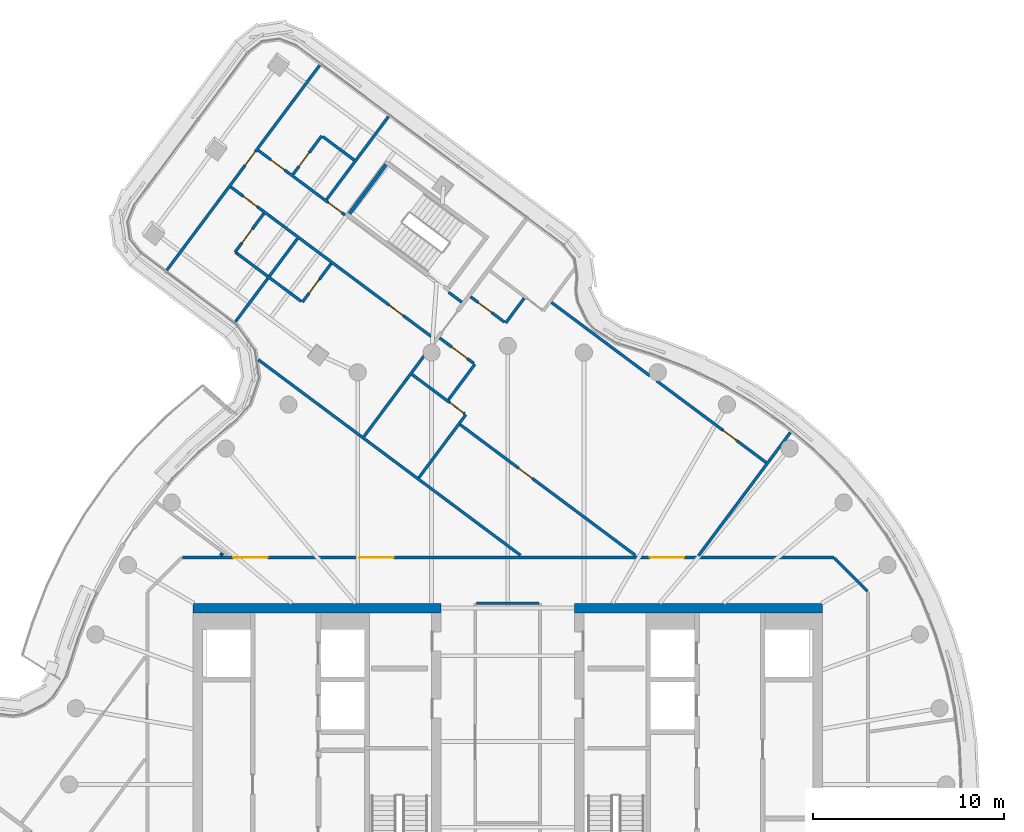
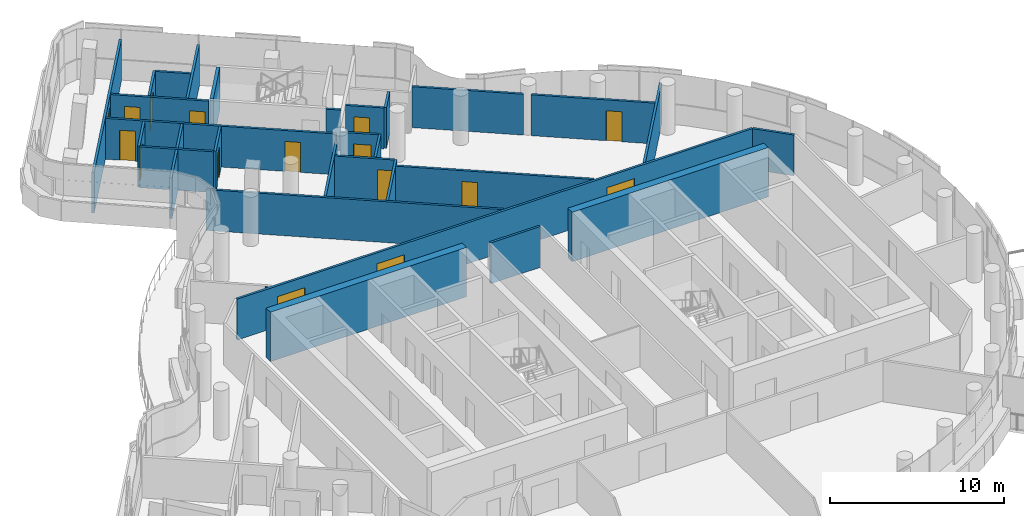
# One storey, part 20 of 27: 30 walls, 16 doors, 16 openings.
"""IFC4 building model written with IfcOpenShell, lengths in metres."""

from ifc_helpers import new_model, si_unit, direction, frame, frame_2d, origin, place, context, subcontext, project, spatial, polyline, rectangle, outline, extrude, material, layer, layer_set, type_object, element, fill, save


model = new_model("IFC4")

# Units and contexts
model_context = context("Model", 3, precision=1e-05, world=origin(), true_north=direction((0.0, 1.0)))
body_context = subcontext(model_context, "Body", "Model", "MODEL_VIEW")
ifc_project = project(units=[si_unit("LENGTHUNIT", "METRE"), si_unit("AREAUNIT", "SQUARE_METRE"), si_unit("VOLUMEUNIT", "CUBIC_METRE"), si_unit("PLANEANGLEUNIT", "RADIAN"), si_unit("MASSUNIT", "GRAM", prefix="KILO")], contexts=[model_context])

# Site, building, storey
site_placement = place(None, origin())
site = spatial("IfcSite", under=ifc_project, at=site_placement, CompositionType="ELEMENT")
building_placement = place(site_placement, origin())
building = spatial("IfcBuilding", under=site, at=building_placement, Name="Tamarind Cross Interchange Tower", CompositionType="ELEMENT")
storey_placement = place(building_placement, frame((0.0, 0.0, 227.10009765625)))
storey = spatial("IfcBuildingStorey", under=building, at=storey_placement, Name="L57", CompositionType="ELEMENT", Elevation=227.10009765625)

# Walls
ifc_material_1 = material(Name="Concrete C50", Category="concrete")
ifc_layer_1 = layer(ifc_material_1, 0.5)
ifc_layer_set_1 = layer_set([ifc_layer_1], Name="Concrete C50")
wall_type_1 = type_object("IfcWallType", Name="Core wall 500 mm Concrete C50", PredefinedType="SHEAR", material=ifc_layer_set_1)
for number, where, z_axis, x_axis, name in (
    (1, (-16.5, 9.25, 0.0), (0.0, 0.0, 1.0), (1.0, 0.0, 0.0), "Core wall CWL-L57-W-NE"),
    (2, (16.5, 9.25, 0.0), (0.0, 0.0, 1.0), (-1.0, 0.0, 0.0), "Core wall CWL-L57-E-NE"),
):
    element("IfcWall", number, at=place(storey_placement, frame(where, z_axis=z_axis, x_axis=x_axis)), inside=storey, type_object=wall_type_1, Name=name, PredefinedType="SHEAR", context=body_context, shape_type="SweptSolid", body=[
        extrude(rectangle(XDim=13.0, YDim=0.5, at=frame_2d((6.5, 0.0))), origin(), (0.0, 0.0, 1.0), 3.4599609375),
    ])
ifc_material_2 = material(Name="Gypsum board partition on steel studs", Category="steel")
ifc_layer_2 = layer(ifc_material_2, 0.14990234375)
ifc_layer_set_2 = layer_set([ifc_layer_2], Name="Gypsum board partition on steel studs")
wall_type_2 = type_object("IfcWallType", Name="Partition 150 mm EI 120", PredefinedType="PARTITIONING", material=ifc_layer_set_2)
wall_1_placement = place(storey_placement, frame((17.12841796875, 11.87158203125, 0.0), z_axis=(0.0, 0.0, 1.0), x_axis=(0.707106781187, -0.707106781187, 0.0)))
element("IfcWall", 3, at=wall_1_placement, inside=storey, type_object=wall_type_2, Name="Partition L57-003", PredefinedType="PARTITIONING", context=body_context, shape_type="SweptSolid", body=[
    extrude(rectangle(XDim=2.465087890625, YDim=0.14990234375, at=frame_2d((1.232421875, 0.0))), origin(), (0.0, 0.0, 1.0), 2.864013671875),
])

# Wall, openings, doors
wall_2_placement = place(storey_placement, frame((-14.52099609375, 31.333251953125, 0.0), z_axis=(0.0, 0.0, 1.0), x_axis=(0.801510735955, -0.597980384418, 0.0)))
wall_2 = element("IfcWall", 4, at=wall_2_placement, inside=storey, type_object=wall_type_2, Name="Partition L57-013", PredefinedType="PARTITIONING", context=body_context, shape_type="SweptSolid", body=[
    extrude(rectangle(XDim=13.319580078125, YDim=0.14990234375, at=frame_2d((6.65966796875, 0.0))), origin(), (0.0, 0.0, 1.0), 2.864013671875),
])
opening_1_placement = place(wall_2_placement, frame((10.36962890625, 0.0, 0.0)))
opening_1 = element("IfcOpeningElement", 5, at=opening_1_placement, cuts=wall_2, Name="Opening D05", PredefinedType="OPENING", context=body_context, shape_type="SweptSolid", body=[
    extrude(rectangle(XDim=0.89990234375, YDim=2.10009765625, at=frame_2d((0.449951171875, 1.050048828125))), frame((0.0, 0.0849609375, 0.0), z_axis=(0.0, -1.0, 0.0), x_axis=(1.0, 0.0, 0.0)), (0.0, 0.0, 1.0), 0.169921875),
])
opening_2_placement = place(wall_2_placement, frame((0.820068359375, 0.0, 0.0)))
opening_2 = element("IfcOpeningElement", 6, at=opening_2_placement, cuts=wall_2, Name="Opening D06", PredefinedType="OPENING", context=body_context, shape_type="SweptSolid", body=[
    extrude(rectangle(XDim=0.89990234375, YDim=2.10009765625, at=frame_2d((0.449951171875, 1.050048828125))), frame((0.0, 0.0849609375, 0.0), z_axis=(0.0, -1.0, 0.0), x_axis=(1.0, 0.0, 0.0)), (0.0, 0.0, 1.0), 0.169921875),
])
ifc_material_3 = material(Name="Fire-resisting door set")
door_type_1 = type_object("IfcDoorType", Name="Interior door 900 x 2100 FD60S", OperationType="SINGLE_SWING_LEFT", PredefinedType="DOOR", material=ifc_material_3)
door_1_placement = place(opening_1_placement, frame((0.89990234375, 0.0, 0.0), z_axis=(0.0, 0.0, 1.0), x_axis=(-1.0, 0.0, 0.0)))
door_1 = element("IfcDoor", 7, at=door_1_placement, inside=storey, type_object=door_type_1, Name="Door D05", OperationType="SINGLE_SWING_RIGHT", OverallHeight=2.10009765625, OverallWidth=0.89990234375, PredefinedType="DOOR", context=body_context, shape_type="SweptSolid", body=[
    extrude(rectangle(XDim=0.89990234375, YDim=2.10009765625, at=frame_2d((0.449951171875, 1.050048828125))), frame((0.0, 0.02490234375, 0.0), z_axis=(0.0, -1.0, 0.0), x_axis=(1.0, 0.0, 0.0)), (0.0, 0.0, 1.0), 0.050048828125),
])
fill(opening_1, door_1)
door_2_placement = place(opening_2_placement, frame((0.89990234375, 0.0, 0.0), z_axis=(0.0, 0.0, 1.0), x_axis=(-1.0, 0.0, 0.0)))
door_2 = element("IfcDoor", 8, at=door_2_placement, inside=storey, type_object=door_type_1, Name="Door D06", OperationType="SINGLE_SWING_LEFT", OverallHeight=2.10009765625, OverallWidth=0.89990234375, PredefinedType="DOOR", context=body_context, shape_type="SweptSolid", body=[
    extrude(rectangle(XDim=0.89990234375, YDim=2.10009765625, at=frame_2d((0.449951171875, 1.050048828125))), frame((0.0, 0.02490234375, 0.0), z_axis=(0.0, -1.0, 0.0), x_axis=(1.0, 0.0, 0.0)), (0.0, 0.0, 1.0), 0.050048828125),
])
fill(opening_2, door_2)

# Wall
wall_3_placement = place(storey_placement, frame((-14.280029296875, 27.908935546875, 0.0), z_axis=(0.0, 0.0, 1.0), x_axis=(0.801738945952, -0.597674378356, 0.0)))
element("IfcWall", 9, at=wall_3_placement, inside=storey, type_object=wall_type_2, Name="Partition L57-014", PredefinedType="PARTITIONING", context=body_context, shape_type="SweptSolid", body=[
    extrude(rectangle(XDim=4.3046875, YDim=0.14990234375, at=frame_2d((2.15234375, 0.0))), origin(), (0.0, 0.0, 1.0), 2.864013671875),
])

# Wall, openings, doors
wall_4_placement = place(storey_placement, frame((-13.0869140625, 33.257080078125, 0.0), z_axis=(0.0, 0.0, 1.0), x_axis=(0.801626776907, -0.597824815933, 0.0)))
wall_4 = element("IfcWall", 10, at=wall_4_placement, inside=storey, type_object=wall_type_2, Name="Partition L57-015", PredefinedType="PARTITIONING", context=body_context, shape_type="SweptSolid", body=[
    extrude(rectangle(XDim=5.6806640625, YDim=0.14990234375, at=frame_2d((2.84033203125, 0.0))), origin(), (0.0, 0.0, 1.0), 2.864013671875),
])
opening_3_placement = place(wall_4_placement, frame((0.820068359375, 0.0, 0.0)))
opening_3 = element("IfcOpeningElement", 11, at=opening_3_placement, cuts=wall_4, Name="Opening D07", PredefinedType="OPENING", context=body_context, shape_type="SweptSolid", body=[
    extrude(rectangle(XDim=0.89990234375, YDim=2.10009765625, at=frame_2d((0.449951171875, 1.050048828125))), frame((0.0, 0.0849609375, 0.0), z_axis=(0.0, -1.0, 0.0), x_axis=(1.0, 0.0, 0.0)), (0.0, 0.0, 1.0), 0.169921875),
])
opening_4_placement = place(wall_4_placement, frame((4.571044921875, 0.0, 0.0)))
opening_4 = element("IfcOpeningElement", 12, at=opening_4_placement, cuts=wall_4, Name="Opening D08", PredefinedType="OPENING", context=body_context, shape_type="SweptSolid", body=[
    extrude(rectangle(XDim=0.89990234375, YDim=2.10009765625, at=frame_2d((0.449951171875, 1.050048828125))), frame((0.0, 0.0849609375, 0.0), z_axis=(0.0, -1.0, 0.0), x_axis=(1.0, 0.0, 0.0)), (0.0, 0.0, 1.0), 0.169921875),
])
door_3_placement = place(opening_3_placement, origin())
door_3 = element("IfcDoor", 13, at=door_3_placement, inside=storey, type_object=door_type_1, Name="Door D07", OperationType="SINGLE_SWING_RIGHT", OverallHeight=2.10009765625, OverallWidth=0.89990234375, PredefinedType="DOOR", context=body_context, shape_type="SweptSolid", body=[
    extrude(rectangle(XDim=0.89990234375, YDim=2.10009765625, at=frame_2d((0.449951171875, 1.050048828125))), frame((0.0, 0.02490234375, 0.0), z_axis=(0.0, -1.0, 0.0), x_axis=(1.0, 0.0, 0.0)), (0.0, 0.0, 1.0), 0.050048828125),
])
fill(opening_3, door_3)
door_4_placement = place(opening_4_placement, origin())
door_4 = element("IfcDoor", 14, at=door_4_placement, inside=storey, type_object=door_type_1, Name="Door D08", OperationType="SINGLE_SWING_LEFT", OverallHeight=2.10009765625, OverallWidth=0.89990234375, PredefinedType="DOOR", context=body_context, shape_type="SweptSolid", body=[
    extrude(rectangle(XDim=0.89990234375, YDim=2.10009765625, at=frame_2d((0.449951171875, 1.050048828125))), frame((0.0, 0.02490234375, 0.0), z_axis=(0.0, -1.0, 0.0), x_axis=(1.0, 0.0, 0.0)), (0.0, 0.0, 1.0), 0.050048828125),
])
fill(opening_4, door_4)

# Walls
wall_5_placement = place(storey_placement, frame((-3.097900390625, 25.807373046875, 0.0), z_axis=(0.0, 0.0, 1.0), x_axis=(0.801599777433, -0.597861017979, 0.0)))
element("IfcWall", 15, at=wall_5_placement, inside=storey, type_object=wall_type_2, Name="Partition L57-016", PredefinedType="PARTITIONING", context=body_context, shape_type="SweptSolid", body=[
    extrude(rectangle(XDim=0.859130859375, YDim=0.14990234375, at=frame_2d((0.4296875, 0.0))), origin(), (0.0, 0.0, 1.0), 2.864013671875),
])
wall_6_placement = place(storey_placement, frame((-13.076416015625, 22.271484375, 0.0), z_axis=(0.0, 0.0, 1.0), x_axis=(0.801609439626, -0.597848062891, 0.0)))
element("IfcWall", 16, at=wall_6_placement, inside=storey, type_object=wall_type_2, Name="Partition L57-017", PredefinedType="PARTITIONING", context=body_context, shape_type="SweptSolid", body=[
    extrude(rectangle(XDim=17.153076171875, YDim=0.14990234375, at=frame_2d((8.57666015625, 0.0))), origin(), (0.0, 0.0, 1.0), 2.864013671875),
])
wall_7_placement = place(storey_placement, frame((-9.69189453125, 33.968994140625, 0.0), z_axis=(0.0, 0.0, 1.0), x_axis=(0.801416031436, -0.598107301876, 0.0)))
element("IfcWall", 17, at=wall_7_placement, inside=storey, type_object=wall_type_2, Name="Partition L57-018", PredefinedType="PARTITIONING", context=body_context, shape_type="SweptSolid", body=[
    extrude(rectangle(XDim=2.044921875, YDim=0.14990234375, at=frame_2d((1.0224609375, 0.0))), origin(), (0.0, 0.0, 1.0), 2.864013671875),
])

# Wall, opening, door
wall_8_placement = place(storey_placement, frame((-5.014892578125, 21.498291015625, 0.0), z_axis=(0.0, 0.0, 1.0), x_axis=(0.801666095662, -0.597772089568, 0.0)))
wall_8 = element("IfcWall", 18, at=wall_8_placement, inside=storey, type_object=wall_type_2, Name="Partition L57-019", PredefinedType="PARTITIONING", context=body_context, shape_type="SweptSolid", body=[
    extrude(rectangle(XDim=3.440185546875, YDim=0.14990234375, at=frame_2d((1.72021484375, 0.0))), origin(), (0.0, 0.0, 1.0), 2.864013671875),
])
opening_5_placement = place(wall_8_placement, frame((2.469970703125, 0.0, 0.0)))
opening_5 = element("IfcOpeningElement", 19, at=opening_5_placement, cuts=wall_8, Name="Opening D09", PredefinedType="OPENING", context=body_context, shape_type="SweptSolid", body=[
    extrude(rectangle(XDim=0.89990234375, YDim=2.10009765625, at=frame_2d((0.449951171875, 1.050048828125))), frame((0.0, 0.0849609375, 0.0), z_axis=(0.0, -1.0, 0.0), x_axis=(1.0, 0.0, 0.0)), (0.0, 0.0, 1.0), 0.169921875),
])
door_5_placement = place(opening_5_placement, frame((0.89990234375, 0.0, 0.0), z_axis=(0.0, 0.0, 1.0), x_axis=(-1.0, 0.0, 0.0)))
door_5 = element("IfcDoor", 20, at=door_5_placement, inside=storey, type_object=door_type_1, Name="Door D09", OperationType="SINGLE_SWING_RIGHT", OverallHeight=2.10009765625, OverallWidth=0.89990234375, PredefinedType="DOOR", context=body_context, shape_type="SweptSolid", body=[
    extrude(rectangle(XDim=0.89990234375, YDim=2.10009765625, at=frame_2d((0.449951171875, 1.050048828125))), frame((0.0, 0.02490234375, 0.0), z_axis=(0.0, -1.0, 0.0), x_axis=(1.0, 0.0, 0.0)), (0.0, 0.0, 1.0), 0.050048828125),
])
fill(opening_5, door_5)

wall_9_placement = place(storey_placement, frame((-3.563720703125, 23.41015625, 0.0), z_axis=(0.0, 0.0, 1.0), x_axis=(0.801603412124, -0.59785614463, 0.0)))
wall_9 = element("IfcWall", 21, at=wall_9_placement, inside=storey, type_object=wall_type_2, Name="Partition L57-020", PredefinedType="PARTITIONING", context=body_context, shape_type="SweptSolid", body=[
    extrude(rectangle(XDim=2.22509765625, YDim=0.14990234375, at=frame_2d((1.112548828125, 0.0))), origin(), (0.0, 0.0, 1.0), 2.864013671875),
])
opening_6_placement = place(wall_9_placement, frame((0.800048828125, 0.0, 0.0)))
opening_6 = element("IfcOpeningElement", 22, at=opening_6_placement, cuts=wall_9, Name="Opening D10", PredefinedType="OPENING", context=body_context, shape_type="SweptSolid", body=[
    extrude(rectangle(XDim=1.0, YDim=2.10009765625, at=frame_2d((0.5, 1.050048828125))), frame((0.0, 0.0849609375, 0.0), z_axis=(0.0, -1.0, 0.0), x_axis=(1.0, 0.0, 0.0)), (0.0, 0.0, 1.0), 0.169921875),
])
door_type_2 = type_object("IfcDoorType", Name="Interior door 1000 x 2100 FD60S", OperationType="SINGLE_SWING_LEFT", PredefinedType="DOOR", material=ifc_material_3)
door_6_placement = place(opening_6_placement, frame((1.0, 0.0, 0.0), z_axis=(0.0, 0.0, 1.0), x_axis=(-1.0, 0.0, 0.0)))
door_6 = element("IfcDoor", 23, at=door_6_placement, inside=storey, type_object=door_type_2, Name="Door D10", OperationType="SINGLE_SWING_RIGHT", OverallHeight=2.10009765625, OverallWidth=1.0, PredefinedType="DOOR", context=body_context, shape_type="SweptSolid", body=[
    extrude(rectangle(XDim=1.0, YDim=2.10009765625, at=frame_2d((0.5, 1.050048828125))), frame((0.0, 0.02490234375, 0.0), z_axis=(0.0, -1.0, 0.0), x_axis=(1.0, 0.0, 0.0)), (0.0, 0.0, 1.0), 0.050048828125),
])
fill(opening_6, door_6)

wall_10_placement = place(storey_placement, frame((-2.48779296875, 18.865234375, 0.0), z_axis=(0.0, 0.0, 1.0), x_axis=(0.801633706651, -0.597815523686, 0.0)))
wall_10 = element("IfcWall", 24, at=wall_10_placement, inside=storey, type_object=wall_type_2, Name="Partition L57-021", PredefinedType="PARTITIONING", context=body_context, shape_type="SweptSolid", body=[
    extrude(rectangle(XDim=11.4560546875, YDim=0.14990234375, at=frame_2d((5.72802734375, 0.0))), origin(), (0.0, 0.0, 1.0), 2.864013671875),
])
opening_7_placement = place(wall_10_placement, frame((3.820068359375, 0.0, 0.0)))
opening_7 = element("IfcOpeningElement", 25, at=opening_7_placement, cuts=wall_10, Name="Opening D11", PredefinedType="OPENING", context=body_context, shape_type="SweptSolid", body=[
    extrude(rectangle(XDim=0.89990234375, YDim=2.10009765625, at=frame_2d((0.449951171875, 1.050048828125))), frame((0.0, 0.0849609375, 0.0), z_axis=(0.0, -1.0, 0.0), x_axis=(1.0, 0.0, 0.0)), (0.0, 0.0, 1.0), 0.169921875),
])
door_7_placement = place(opening_7_placement, frame((0.89990234375, 0.0, 0.0), z_axis=(0.0, 0.0, 1.0), x_axis=(-1.0, 0.0, 0.0)))
door_7 = element("IfcDoor", 26, at=door_7_placement, inside=storey, type_object=door_type_1, Name="Door D11", OperationType="SINGLE_SWING_LEFT", OverallHeight=2.10009765625, OverallWidth=0.89990234375, PredefinedType="DOOR", context=body_context, shape_type="SweptSolid", body=[
    extrude(rectangle(XDim=0.89990234375, YDim=2.10009765625, at=frame_2d((0.449951171875, 1.050048828125))), frame((0.0, 0.02490234375, 0.0), z_axis=(0.0, -1.0, 0.0), x_axis=(1.0, 0.0, 0.0)), (0.0, 0.0, 1.0), 0.050048828125),
])
fill(opening_7, door_7)

wall_11_placement = place(storey_placement, frame((-1.94970703125, 25.5751953125, 0.0), z_axis=(0.0, 0.0, 1.0), x_axis=(0.801603412124, -0.59785614463, 0.0)))
wall_11 = element("IfcWall", 27, at=wall_11_placement, inside=storey, type_object=wall_type_2, Name="Partition L57-022", PredefinedType="PARTITIONING", context=body_context, shape_type="SweptSolid", body=[
    extrude(rectangle(XDim=2.22509765625, YDim=0.14990234375, at=frame_2d((1.112548828125, 0.0))), origin(), (0.0, 0.0, 1.0), 2.864013671875),
])
opening_8_placement = place(wall_11_placement, frame((0.5, 0.0, 0.0)))
opening_8 = element("IfcOpeningElement", 28, at=opening_8_placement, cuts=wall_11, Name="Opening D12", PredefinedType="OPENING", context=body_context, shape_type="SweptSolid", body=[
    extrude(rectangle(XDim=0.89990234375, YDim=2.10009765625, at=frame_2d((0.449951171875, 1.050048828125))), frame((0.0, 0.0849609375, 0.0), z_axis=(0.0, -1.0, 0.0), x_axis=(1.0, 0.0, 0.0)), (0.0, 0.0, 1.0), 0.169921875),
])
door_8_placement = place(opening_8_placement, origin())
door_8 = element("IfcDoor", 29, at=door_8_placement, inside=storey, type_object=door_type_1, Name="Door D12", OperationType="SINGLE_SWING_RIGHT", OverallHeight=2.10009765625, OverallWidth=0.89990234375, PredefinedType="DOOR", context=body_context, shape_type="SweptSolid", body=[
    extrude(rectangle(XDim=0.89990234375, YDim=2.10009765625, at=frame_2d((0.449951171875, 1.050048828125))), frame((0.0, 0.02490234375, 0.0), z_axis=(0.0, -1.0, 0.0), x_axis=(1.0, 0.0, 0.0)), (0.0, 0.0, 1.0), 0.050048828125),
])
fill(opening_8, door_8)

# Wall
wall_12_placement = place(storey_placement, frame((2.295166015625, 25.2783203125, 0.0), z_axis=(0.0, 0.0, 1.0), x_axis=(0.801612688657, -0.597843706486, 0.0)))
element("IfcWall", 30, at=wall_12_placement, inside=storey, type_object=wall_type_2, Name="Partition L57-024", PredefinedType="PARTITIONING", context=body_context, shape_type="SweptSolid", body=[
    extrude(rectangle(XDim=6.4375, YDim=0.14990234375, at=frame_2d((3.21875, 0.0))), origin(), (0.0, 0.0, 1.0), 2.864013671875),
])

# Wall, opening, door
wall_13_placement = place(storey_placement, frame((7.804443359375, 21.169677734375, 0.0), z_axis=(0.0, 0.0, 1.0), x_axis=(0.801611703951, -0.597845026816, 0.0)))
wall_13 = element("IfcWall", 31, at=wall_13_placement, inside=storey, type_object=wall_type_2, Name="Partition L57-025", PredefinedType="PARTITIONING", context=body_context, shape_type="SweptSolid", body=[
    extrude(rectangle(XDim=7.167236328125, YDim=0.14990234375, at=frame_2d((3.58349609375, 0.0))), origin(), (0.0, 0.0, 1.0), 2.864013671875),
])
opening_9_placement = place(wall_13_placement, frame((4.35009765625, 0.0, 0.0)))
opening_9 = element("IfcOpeningElement", 32, at=opening_9_placement, cuts=wall_13, Name="Opening D14", PredefinedType="OPENING", context=body_context, shape_type="SweptSolid", body=[
    extrude(rectangle(XDim=0.89990234375, YDim=2.10009765625, at=frame_2d((0.449951171875, 1.050048828125))), frame((0.0, 0.0849609375, 0.0), z_axis=(0.0, -1.0, 0.0), x_axis=(1.0, 0.0, 0.0)), (0.0, 0.0, 1.0), 0.169921875),
])
door_9_placement = place(opening_9_placement, origin())
door_9 = element("IfcDoor", 33, at=door_9_placement, inside=storey, type_object=door_type_1, Name="Door D14", OperationType="SINGLE_SWING_LEFT", OverallHeight=2.10009765625, OverallWidth=0.89990234375, PredefinedType="DOOR", context=body_context, shape_type="SweptSolid", body=[
    extrude(rectangle(XDim=0.89990234375, YDim=2.10009765625, at=frame_2d((0.449951171875, 1.050048828125))), frame((0.0, 0.02490234375, 0.0), z_axis=(0.0, -1.0, 0.0), x_axis=(1.0, 0.0, 0.0)), (0.0, 0.0, 1.0), 0.050048828125),
])
fill(opening_9, door_9)

# Wall, openings, doors
wall_14_placement = place(storey_placement, frame((-17.06494140625, 11.89990234375, 0.0), z_axis=(0.0, 0.0, 1.0), x_axis=(1.0, 0.0, 0.0)))
wall_14 = element("IfcWall", 34, at=wall_14_placement, inside=storey, type_object=wall_type_2, Name="Partition L57-027", PredefinedType="PARTITIONING", context=body_context, shape_type="SweptSolid", body=[
    extrude(rectangle(XDim=34.1650390625, YDim=0.14990234375, at=frame_2d((17.08251953125, 0.0))), origin(), (0.0, 0.0, 1.0), 2.864013671875),
])
opening_10_placement = place(wall_14_placement, frame((24.51708984375, 0.0, 0.0)))
opening_10 = element("IfcOpeningElement", 35, at=opening_10_placement, cuts=wall_14, Name="Opening D19", PredefinedType="OPENING", context=body_context, shape_type="SweptSolid", body=[
    extrude(rectangle(XDim=1.800048828125, YDim=2.10009765625, at=frame_2d((0.89990234375, 1.050048828125))), frame((0.0, 0.0849609375, 0.0), z_axis=(0.0, -1.0, 0.0), x_axis=(1.0, 0.0, 0.0)), (0.0, 0.0, 1.0), 0.169921875),
])
opening_11_placement = place(wall_14_placement, frame((9.27587890625, 0.0, 0.0)))
opening_11 = element("IfcOpeningElement", 36, at=opening_11_placement, cuts=wall_14, Name="Opening D20", PredefinedType="OPENING", context=body_context, shape_type="SweptSolid", body=[
    extrude(rectangle(XDim=1.800048828125, YDim=2.10009765625, at=frame_2d((0.89990234375, 1.050048828125))), frame((0.0, 0.0849609375, 0.0), z_axis=(0.0, -1.0, 0.0), x_axis=(1.0, 0.0, 0.0)), (0.0, 0.0, 1.0), 0.169921875),
])
opening_12_placement = place(wall_14_placement, frame((2.676025390625, 0.0, 0.0)))
opening_12 = element("IfcOpeningElement", 37, at=opening_12_placement, cuts=wall_14, Name="Opening D21", PredefinedType="OPENING", context=body_context, shape_type="SweptSolid", body=[
    extrude(rectangle(XDim=1.800048828125, YDim=2.10009765625, at=frame_2d((0.89990234375, 1.050048828125))), frame((0.0, 0.0849609375, 0.0), z_axis=(0.0, -1.0, 0.0), x_axis=(1.0, 0.0, 0.0)), (0.0, 0.0, 1.0), 0.169921875),
])
door_type_3 = type_object("IfcDoorType", Name="Interior door 1800 x 2100 FD60S", OperationType="DOUBLE_DOOR_SINGLE_SWING", PredefinedType="DOOR", material=ifc_material_3)
door_10_placement = place(opening_10_placement, frame((1.800048828125, 0.0, 0.0), z_axis=(0.0, 0.0, 1.0), x_axis=(-1.0, 0.0, 0.0)))
door_10 = element("IfcDoor", 38, at=door_10_placement, inside=storey, type_object=door_type_3, Name="Door D19", OperationType="DOUBLE_DOOR_SINGLE_SWING", OverallHeight=2.10009765625, OverallWidth=1.800048828125, PredefinedType="DOOR", context=body_context, shape_type="SweptSolid", body=[
    extrude(rectangle(XDim=1.800048828125, YDim=2.10009765625, at=frame_2d((0.89990234375, 1.050048828125))), frame((0.0, 0.02490234375, 0.0), z_axis=(0.0, -1.0, 0.0), x_axis=(1.0, 0.0, 0.0)), (0.0, 0.0, 1.0), 0.050048828125),
])
fill(opening_10, door_10)
door_11_placement = place(opening_11_placement, origin())
door_11 = element("IfcDoor", 39, at=door_11_placement, inside=storey, type_object=door_type_3, Name="Door D20", OperationType="DOUBLE_DOOR_SINGLE_SWING", OverallHeight=2.10009765625, OverallWidth=1.800048828125, PredefinedType="DOOR", context=body_context, shape_type="SweptSolid", body=[
    extrude(rectangle(XDim=1.800048828125, YDim=2.10009765625, at=frame_2d((0.89990234375, 1.050048828125))), frame((0.0, 0.02490234375, 0.0), z_axis=(0.0, -1.0, 0.0), x_axis=(1.0, 0.0, 0.0)), (0.0, 0.0, 1.0), 0.050048828125),
])
fill(opening_11, door_11)
door_12_placement = place(opening_12_placement, origin())
door_12 = element("IfcDoor", 40, at=door_12_placement, inside=storey, type_object=door_type_3, Name="Door D21", OperationType="DOUBLE_DOOR_SINGLE_SWING", OverallHeight=2.10009765625, OverallWidth=1.800048828125, PredefinedType="DOOR", context=body_context, shape_type="SweptSolid", body=[
    extrude(rectangle(XDim=1.800048828125, YDim=2.10009765625, at=frame_2d((0.89990234375, 1.050048828125))), frame((0.0, 0.02490234375, 0.0), z_axis=(0.0, -1.0, 0.0), x_axis=(1.0, 0.0, 0.0)), (0.0, 0.0, 1.0), 0.050048828125),
])
fill(opening_12, door_12)

# Walls
wall_15_placement = place(storey_placement, frame((-1.639892578125, 9.5, 0.0), z_axis=(0.0, 0.0, 1.0), x_axis=(1.0, 0.0, 0.0)))
element("IfcWall", 41, at=wall_15_placement, inside=storey, type_object=wall_type_2, Name="Partition L57-031", PredefinedType="PARTITIONING", context=body_context, shape_type="SweptSolid", body=[
    extrude(rectangle(XDim=3.27978515625, YDim=0.14990234375, at=frame_2d((1.639892578125, 0.0))), origin(), (0.0, 0.0, 1.0), 2.864013671875),
])
wall_16_placement = place(storey_placement, frame((-15.046630859375, 12.00048828125, 0.0), z_axis=(0.0, 0.0, 1.0), x_axis=(0.598084412892, 0.801433113276, 0.0)))
element("IfcWall", 42, at=wall_16_placement, inside=storey, type_object=wall_type_2, Name="Partition L57-041", PredefinedType="PARTITIONING", context=body_context, shape_type="SweptSolid", body=[
    extrude(rectangle(XDim=0.142822265625, YDim=0.14990234375, at=frame_2d((0.0712890625, 0.0))), origin(), (0.0, 0.0, 1.0), 2.864013671875),
])

# Wall, opening, door
wall_17_placement = place(storey_placement, frame((-17.877197265625, 26.967041015625, 0.0), z_axis=(0.0, 0.0, 1.0), x_axis=(0.597867717707, 0.801594780499, 0.0)))
wall_17 = element("IfcWall", 43, at=wall_17_placement, inside=storey, type_object=wall_type_2, Name="Partition L57-045", PredefinedType="PARTITIONING", context=body_context, shape_type="SweptSolid", body=[
    extrude(rectangle(XDim=13.405029296875, YDim=0.14990234375, at=frame_2d((6.70263671875, 0.0))), origin(), (0.0, 0.0, 1.0), 2.864013671875),
])
opening_13_placement = place(wall_17_placement, frame((6.856689453125, 0.0, 0.0)))
opening_13 = element("IfcOpeningElement", 44, at=opening_13_placement, cuts=wall_17, Name="Opening D26", PredefinedType="OPENING", context=body_context, shape_type="SweptSolid", body=[
    extrude(rectangle(XDim=0.89990234375, YDim=2.10009765625, at=frame_2d((0.449951171875, 1.050048828125))), frame((0.0, 0.0849609375, 0.0), z_axis=(0.0, -1.0, 0.0), x_axis=(1.0, 0.0, 0.0)), (0.0, 0.0, 1.0), 0.169921875),
])
door_13_placement = place(opening_13_placement, origin())
door_13 = element("IfcDoor", 45, at=door_13_placement, inside=storey, type_object=door_type_1, Name="Door D26", OperationType="SINGLE_SWING_LEFT", OverallHeight=2.10009765625, OverallWidth=0.89990234375, PredefinedType="DOOR", context=body_context, shape_type="SweptSolid", body=[
    extrude(rectangle(XDim=0.89990234375, YDim=2.10009765625, at=frame_2d((0.449951171875, 1.050048828125))), frame((0.0, 0.02490234375, 0.0), z_axis=(0.0, -1.0, 0.0), x_axis=(1.0, 0.0, 0.0)), (0.0, 0.0, 1.0), 0.050048828125),
])
fill(opening_13, door_13)

wall_18_placement = place(storey_placement, frame((-14.2958984375, 27.9208984375, 0.0), z_axis=(0.0, 0.0, 1.0), x_axis=(0.597548490033, 0.801832776867, 0.0)))
wall_18 = element("IfcWall", 46, at=wall_18_placement, inside=storey, type_object=wall_type_2, Name="Partition L57-046", PredefinedType="PARTITIONING", context=body_context, shape_type="SweptSolid", body=[
    extrude(rectangle(XDim=2.5205078125, YDim=0.14990234375, at=frame_2d((1.26025390625, 0.0))), origin(), (0.0, 0.0, 1.0), 2.864013671875),
])
opening_14_placement = place(wall_18_placement, frame((0.60009765625, 0.0, 0.0)))
opening_14 = element("IfcOpeningElement", 47, at=opening_14_placement, cuts=wall_18, Name="Opening D27", PredefinedType="OPENING", context=body_context, shape_type="SweptSolid", body=[
    extrude(rectangle(XDim=0.89990234375, YDim=2.10009765625, at=frame_2d((0.449951171875, 1.050048828125))), frame((0.0, 0.0849609375, 0.0), z_axis=(0.0, -1.0, 0.0), x_axis=(1.0, 0.0, 0.0)), (0.0, 0.0, 1.0), 0.169921875),
])
door_14_placement = place(opening_14_placement, frame((0.89990234375, 0.0, 0.0), z_axis=(0.0, 0.0, 1.0), x_axis=(-1.0, 0.0, 0.0)))
door_14 = element("IfcDoor", 48, at=door_14_placement, inside=storey, type_object=door_type_1, Name="Door D27", OperationType="SINGLE_SWING_LEFT", OverallHeight=2.10009765625, OverallWidth=0.89990234375, PredefinedType="DOOR", context=body_context, shape_type="SweptSolid", body=[
    extrude(rectangle(XDim=0.89990234375, YDim=2.10009765625, at=frame_2d((0.449951171875, 1.050048828125))), frame((0.0, 0.02490234375, 0.0), z_axis=(0.0, -1.0, 0.0), x_axis=(1.0, 0.0, 0.0)), (0.0, 0.0, 1.0), 0.050048828125),
])
fill(opening_14, door_14)

wall_19_placement = place(storey_placement, frame((-11.259765625, 31.99462890625, 0.0), z_axis=(0.0, 0.0, 1.0), x_axis=(0.597532621411, 0.80184460237, 0.0)))
wall_19 = element("IfcWall", 49, at=wall_19_placement, inside=storey, type_object=wall_type_2, Name="Partition L57-047", PredefinedType="PARTITIONING", context=body_context, shape_type="SweptSolid", body=[
    extrude(rectangle(XDim=2.52001953125, YDim=0.14990234375, at=frame_2d((1.260009765625, 0.0))), origin(), (0.0, 0.0, 1.0), 2.864013671875),
])
opening_15_placement = place(wall_19_placement, frame((0.52001953125, 0.0, 0.0)))
opening_15 = element("IfcOpeningElement", 50, at=opening_15_placement, cuts=wall_19, Name="Opening D28", PredefinedType="OPENING", context=body_context, shape_type="SweptSolid", body=[
    extrude(rectangle(XDim=0.89990234375, YDim=2.10009765625, at=frame_2d((0.449951171875, 1.050048828125))), frame((0.0, 0.0849609375, 0.0), z_axis=(0.0, -1.0, 0.0), x_axis=(1.0, 0.0, 0.0)), (0.0, 0.0, 1.0), 0.169921875),
])
door_15_placement = place(opening_15_placement, frame((0.89990234375, 0.0, 0.0), z_axis=(0.0, 0.0, 1.0), x_axis=(-1.0, 0.0, 0.0)))
door_15 = element("IfcDoor", 51, at=door_15_placement, inside=storey, type_object=door_type_1, Name="Door D28", OperationType="SINGLE_SWING_LEFT", OverallHeight=2.10009765625, OverallWidth=0.89990234375, PredefinedType="DOOR", context=body_context, shape_type="SweptSolid", body=[
    extrude(rectangle(XDim=0.89990234375, YDim=2.10009765625, at=frame_2d((0.449951171875, 1.050048828125))), frame((0.0, 0.02490234375, 0.0), z_axis=(0.0, -1.0, 0.0), x_axis=(1.0, 0.0, 0.0)), (0.0, 0.0, 1.0), 0.050048828125),
])
fill(opening_15, door_15)

# Walls
wall_20_placement = place(storey_placement, frame((-14.281494140625, 24.2607421875, 0.0), z_axis=(0.0, 0.0, 1.0), x_axis=(0.59794643903, 0.801536060356, 0.0)))
element("IfcWall", 52, at=wall_20_placement, inside=storey, type_object=wall_type_2, Name="Partition L57-048", PredefinedType="PARTITIONING", context=body_context, shape_type="SweptSolid", body=[
    extrude(rectangle(XDim=5.445556640625, YDim=0.14990234375, at=frame_2d((2.72265625, 0.0))), origin(), (0.0, 0.0, 1.0), 2.864013671875),
])
wall_21_placement = place(storey_placement, frame((-9.49462890625, 30.677734375, 0.0), z_axis=(0.0, 0.0, 1.0), x_axis=(0.597922011926, 0.801554282413, 0.0)))
element("IfcWall", 53, at=wall_21_placement, inside=storey, type_object=wall_type_2, Name="Partition L57-049", PredefinedType="PARTITIONING", context=body_context, shape_type="SweptSolid", body=[
    extrude(rectangle(XDim=5.419189453125, YDim=0.14990234375, at=frame_2d((2.70947265625, 0.0))), origin(), (0.0, 0.0, 1.0), 2.864013671875),
])

# Wall, opening, door
wall_22_placement = place(storey_placement, frame((-10.76904296875, 25.291015625, 0.0), z_axis=(0.0, 0.0, 1.0), x_axis=(0.597842875799, 0.801613308183, 0.0)))
wall_22 = element("IfcWall", 54, at=wall_22_placement, inside=storey, type_object=wall_type_2, Name="Partition L57-050", PredefinedType="PARTITIONING", context=body_context, shape_type="SweptSolid", body=[
    extrude(rectangle(XDim=2.51953125, YDim=0.14990234375, at=frame_2d((1.259765625, 0.0))), origin(), (0.0, 0.0, 1.0), 2.864013671875),
])
opening_16_placement = place(wall_22_placement, frame((0.60009765625, 0.0, 0.0)))
opening_16 = element("IfcOpeningElement", 55, at=opening_16_placement, cuts=wall_22, Name="Opening D29", PredefinedType="OPENING", context=body_context, shape_type="SweptSolid", body=[
    extrude(rectangle(XDim=0.89990234375, YDim=2.10009765625, at=frame_2d((0.449951171875, 1.050048828125))), frame((0.0, 0.0849609375, 0.0), z_axis=(0.0, -1.0, 0.0), x_axis=(1.0, 0.0, 0.0)), (0.0, 0.0, 1.0), 0.169921875),
])
door_16_placement = place(opening_16_placement, origin())
door_16 = element("IfcDoor", 56, at=door_16_placement, inside=storey, type_object=door_type_1, Name="Door D29", OperationType="SINGLE_SWING_RIGHT", OverallHeight=2.10009765625, OverallWidth=0.89990234375, PredefinedType="DOOR", context=body_context, shape_type="SweptSolid", body=[
    extrude(rectangle(XDim=0.89990234375, YDim=2.10009765625, at=frame_2d((0.449951171875, 1.050048828125))), frame((0.0, 0.02490234375, 0.0), z_axis=(0.0, -1.0, 0.0), x_axis=(1.0, 0.0, 0.0)), (0.0, 0.0, 1.0), 0.050048828125),
])
fill(opening_16, door_16)

# Walls
wall_23_placement = place(storey_placement, frame((-7.542236328125, 18.2431640625, 0.0), z_axis=(0.0, 0.0, 1.0), x_axis=(0.597845440825, 0.801611395182, 0.0)))
element("IfcWall", 57, at=wall_23_placement, inside=storey, type_object=wall_type_2, Name="Partition L57-051", PredefinedType="PARTITIONING", context=body_context, shape_type="SweptSolid", body=[
    extrude(rectangle(XDim=5.42626953125, YDim=0.14990234375, at=frame_2d((2.713134765625, 0.0))), origin(), (0.0, 0.0, 1.0), 2.864013671875),
])
wall_24_placement = place(storey_placement, frame((-4.65625, 16.091064453125, 0.0), z_axis=(0.0, 0.0, 1.0), x_axis=(0.597779350617, 0.801660681321, 0.0)))
element("IfcWall", 58, at=wall_24_placement, inside=storey, type_object=wall_type_2, Name="Partition L57-053", PredefinedType="PARTITIONING", context=body_context, shape_type="SweptSolid", body=[
    extrude(rectangle(XDim=4.120361328125, YDim=0.14990234375, at=frame_2d((2.06005859375, 0.0))), origin(), (0.0, 0.0, 1.0), 2.864013671875),
])
wall_25_placement = place(storey_placement, frame((-3.107177734375, 20.175048828125, 0.0), z_axis=(0.0, 0.0, 1.0), x_axis=(0.59787659673, 0.801588158023, 0.0)))
element("IfcWall", 59, at=wall_25_placement, inside=storey, type_object=wall_type_2, Name="Partition L57-055", PredefinedType="PARTITIONING", context=body_context, shape_type="SweptSolid", body=[
    extrude(rectangle(XDim=2.3203125, YDim=0.14990234375, at=frame_2d((1.16015625, 0.0))), origin(), (0.0, 0.0, 1.0), 2.864013671875),
])
wall_26_placement = place(storey_placement, frame((-0.10546875, 24.19970703125, 0.0), z_axis=(0.0, 0.0, 1.0), x_axis=(0.597874790731, 0.801589505051, 0.0)))
element("IfcWall", 60, at=wall_26_placement, inside=storey, type_object=wall_type_2, Name="Partition L57-056", PredefinedType="PARTITIONING", context=body_context, shape_type="SweptSolid", body=[
    extrude(rectangle(XDim=1.619140625, YDim=0.14990234375, at=frame_2d((0.8095703125, 0.0))), origin(), (0.0, 0.0, 1.0), 2.864013671875),
])
wall_27_placement = place(storey_placement, frame((10.006591796875, 12.000244140625, 0.0), z_axis=(0.0, 0.0, 1.0), x_axis=(0.597856528109, 0.801603126115, 0.0)))
element("IfcWall", 61, at=wall_27_placement, inside=storey, type_object=wall_type_2, Name="Partition L57-057", PredefinedType="PARTITIONING", context=body_context, shape_type="SweptSolid", body=[
    extrude(rectangle(XDim=8.06298828125, YDim=0.14990234375, at=frame_2d((4.031494140625, 0.0))), origin(), (0.0, 0.0, 1.0), 2.864013671875),
])
ifc_material_4 = material(Name="Concrete C40", Category="concrete")
ifc_layer_3 = layer(ifc_material_4, 0.199951171875)
ifc_layer_set_3 = layer_set([ifc_layer_3], Name="Concrete C40")
wall_type_3 = type_object("IfcWallType", Name="Stair shaft wall 200 mm Concrete C40", PredefinedType="SHEAR", material=ifc_layer_set_3)
wall_28_placement = place(storey_placement, frame((0.0, 0.0, -0.14013671875)))
element("IfcWall", 62, at=wall_28_placement, inside=storey, type_object=wall_type_3, Name="Core wall CWL-L57-ST4-CF", PredefinedType="SHEAR", context=body_context, shape_type="SweptSolid", body=[
    extrude(outline(polyline([(-6.30810546875, 32.443115234375), (-6.468505859375, 32.5625), (-8.381591796875, 29.997314453125), (-8.22119140625, 29.877685546875), (-6.30810546875, 32.443115234375)])), origin(), (0.0, 0.0, 1.0), 3.004150390625),
])

save(model, "model.ifc")
